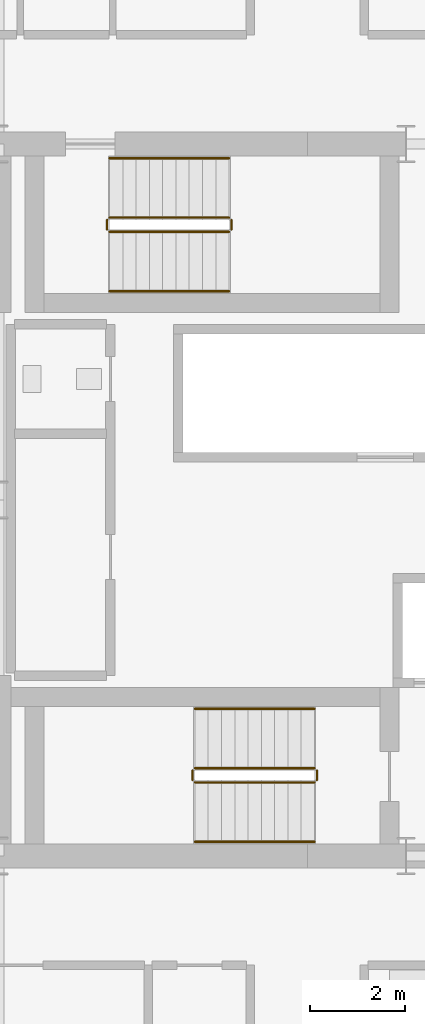
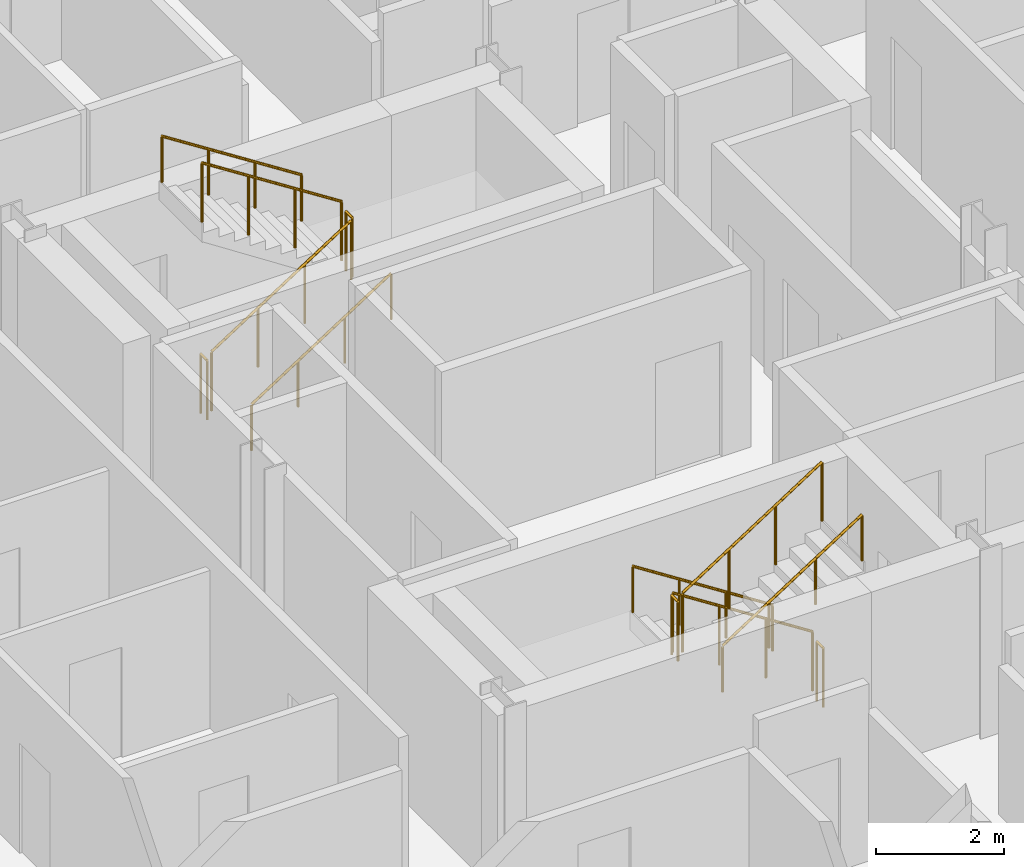
# One storey, part 23 of 24: 12 railings.
"""IFC4 building model written with IfcOpenShell, lengths in metres."""

from ifc_helpers import new_model, si_unit, direction, frame, origin, origin_2d, place, context, subcontext, project, spatial, circle, extrude, material, type_object, element, save


model = new_model("IFC4")

# Units and contexts
model_context = context("Model", 3, precision=1e-05, world=origin(), true_north=direction((0.0, 1.0)))
body_context = subcontext(model_context, "Body", "Model", "MODEL_VIEW")
ifc_project = project(units=[si_unit("LENGTHUNIT", "METRE"), si_unit("AREAUNIT", "SQUARE_METRE"), si_unit("VOLUMEUNIT", "CUBIC_METRE"), si_unit("PLANEANGLEUNIT", "RADIAN"), si_unit("MASSUNIT", "GRAM", prefix="KILO")], contexts=[model_context])

# Site, building, storey
site_placement = place(None, origin())
site = spatial("IfcSite", under=ifc_project, at=site_placement, CompositionType="ELEMENT")
building_placement = place(site_placement, origin())
building = spatial("IfcBuilding", under=site, at=building_placement, Name="Barlavira Tower and Art Museum", CompositionType="ELEMENT")
storey_placement = place(building_placement, frame((0.0, 0.0, 190.800048828125)))
storey = spatial("IfcBuildingStorey", under=building, at=storey_placement, Name="L49", CompositionType="ELEMENT", Elevation=190.800048828125)

# Railings
ifc_material = material(Name="Brushed stainless steel", Category="steel")
railing_type_1 = type_object("IfcRailingType", Name="Interior Void and Landing Guard Railing 1150", PredefinedType="GUARDRAIL", material=ifc_material)
railing_1_placement = place(storey_placement, frame((0.14990234375, -5.64990234375, 0.179931640625)))
element("IfcRailing", 1, at=railing_1_placement, inside=storey, type_object=railing_type_1, Name="L49 ST-T1 stair guard 1", PredefinedType="GUARDRAIL", context=body_context, shape_type="SweptSolid", body=[
    extrude(circle(Radius=0.02392578125, at=origin_2d()), frame((0.0, 0.0, 1.1259765625), z_axis=(-0.841162588446, 0.0, 0.540782303519), x_axis=(0.0, -1.0, 0.0)), (0.0, 0.0, 1.0), 2.995849609375),
    extrude(circle(Radius=0.02099609375, at=origin_2d()), origin(), (0.0, 0.0, 1.0), 1.101806640625),
    extrude(circle(Radius=0.02099609375, at=origin_2d()), frame((-0.840087890625, 0.0, 0.5400390625)), (0.0, 0.0, 1.0), 1.101806640625),
    extrude(circle(Radius=0.02099609375, at=origin_2d()), frame((-1.679931640625, 0.0, 1.080078125)), (0.0, 0.0, 1.0), 1.101806640625),
    extrude(circle(Radius=0.02099609375, at=origin_2d()), frame((-2.52001953125, 0.0, 1.6201171875)), (0.0, 0.0, 1.0), 1.101806640625),
])
railing_2_placement = place(storey_placement, frame((-2.419921875, -5.699951171875, 1.800048828125)))
element("IfcRailing", 2, at=railing_2_placement, inside=storey, type_object=railing_type_1, Name="L49 ST-T1 stair guard 2", PredefinedType="GUARDRAIL", context=body_context, shape_type="SweptSolid", body=[
    extrude(circle(Radius=0.02392578125, at=origin_2d()), frame((0.0, 0.0, 1.1259765625), z_axis=(0.0, -1.0, 0.0), x_axis=(1.0, 0.0, 0.0)), (0.0, 0.0, 1.0), 0.199951171875),
    extrude(circle(Radius=0.02099609375, at=origin_2d()), origin(), (0.0, 0.0, 1.0), 1.101806640625),
    extrude(circle(Radius=0.02099609375, at=origin_2d()), frame((0.0, -0.199951171875, 0.0)), (0.0, 0.0, 1.0), 1.101806640625),
])
railing_3_placement = place(storey_placement, frame((-2.3701171875, -5.949951171875, 1.97998046875)))
element("IfcRailing", 3, at=railing_3_placement, inside=storey, type_object=railing_type_1, Name="L49 ST-T1 stair guard 3", PredefinedType="GUARDRAIL", context=body_context, shape_type="SweptSolid", body=[
    extrude(circle(Radius=0.02392578125, at=origin_2d()), frame((0.0, 0.0, 1.1259765625), z_axis=(0.841199657755, 0.0, 0.540724639528), x_axis=(0.0, 1.0, 0.0)), (0.0, 0.0, 1.0), 2.995849609375),
    extrude(circle(Radius=0.02099609375, at=origin_2d()), origin(), (0.0, 0.0, 1.0), 1.101806640625),
    extrude(circle(Radius=0.02099609375, at=origin_2d()), frame((0.840087890625, 0.0, 0.5400390625)), (0.0, 0.0, 1.0), 1.101806640625),
    extrude(circle(Radius=0.02099609375, at=origin_2d()), frame((1.679931640625, 0.0, 1.079833984375)), (0.0, 0.0, 1.0), 1.101806640625),
    extrude(circle(Radius=0.02099609375, at=origin_2d()), frame((2.52001953125, 0.0, 1.619873046875)), (0.0, 0.0, 1.0), 1.101806640625),
])
railing_4_placement = place(storey_placement, frame((0.199951171875, -5.699951171875, 0.0)))
element("IfcRailing", 4, at=railing_4_placement, inside=storey, type_object=railing_type_1, Name="L49 ST-T1 stair guard 4", PredefinedType="GUARDRAIL", context=body_context, shape_type="SweptSolid", body=[
    extrude(circle(Radius=0.02392578125, at=origin_2d()), frame((0.0, 0.0, 1.1259765625), z_axis=(0.0, -1.0, 0.0), x_axis=(1.0, 0.0, 0.0)), (0.0, 0.0, 1.0), 0.199951171875),
    extrude(circle(Radius=0.02099609375, at=origin_2d()), origin(), (0.0, 0.0, 1.0), 1.101806640625),
    extrude(circle(Radius=0.02099609375, at=origin_2d()), frame((0.0, -0.199951171875, 0.0)), (0.0, 0.0, 1.0), 1.101806640625),
])
railing_5_placement = place(storey_placement, frame((-4.169921875, 5.64990234375, 0.179931640625)))
element("IfcRailing", 5, at=railing_5_placement, inside=storey, type_object=railing_type_1, Name="L49 ST-T2 stair guard 1", PredefinedType="GUARDRAIL", context=body_context, shape_type="SweptSolid", body=[
    extrude(circle(Radius=0.02392578125, at=origin_2d()), frame((0.0, 0.0, 1.1259765625), z_axis=(0.841162588446, 0.0, 0.540782303519), x_axis=(0.0, 1.0, 0.0)), (0.0, 0.0, 1.0), 2.995849609375),
    extrude(circle(Radius=0.02099609375, at=origin_2d()), origin(), (0.0, 0.0, 1.0), 1.101806640625),
    extrude(circle(Radius=0.02099609375, at=origin_2d()), frame((0.840087890625, 0.0, 0.5400390625)), (0.0, 0.0, 1.0), 1.101806640625),
    extrude(circle(Radius=0.02099609375, at=origin_2d()), frame((1.679931640625, 0.0, 1.080078125)), (0.0, 0.0, 1.0), 1.101806640625),
    extrude(circle(Radius=0.02099609375, at=origin_2d()), frame((2.52001953125, 0.0, 1.6201171875)), (0.0, 0.0, 1.0), 1.101806640625),
])
railing_6_placement = place(storey_placement, frame((-1.60009765625, 5.699951171875, 1.800048828125)))
element("IfcRailing", 6, at=railing_6_placement, inside=storey, type_object=railing_type_1, Name="L49 ST-T2 stair guard 2", PredefinedType="GUARDRAIL", context=body_context, shape_type="SweptSolid", body=[
    extrude(circle(Radius=0.02392578125, at=origin_2d()), frame((0.0, 0.0, 1.1259765625), z_axis=(0.0, 1.0, 0.0), x_axis=(-1.0, 0.0, 0.0)), (0.0, 0.0, 1.0), 0.199951171875),
    extrude(circle(Radius=0.02099609375, at=origin_2d()), origin(), (0.0, 0.0, 1.0), 1.101806640625),
    extrude(circle(Radius=0.02099609375, at=origin_2d()), frame((0.0, 0.199951171875, 0.0)), (0.0, 0.0, 1.0), 1.101806640625),
])
railing_7_placement = place(storey_placement, frame((-1.64990234375, 5.949951171875, 1.97998046875)))
element("IfcRailing", 7, at=railing_7_placement, inside=storey, type_object=railing_type_1, Name="L49 ST-T2 stair guard 3", PredefinedType="GUARDRAIL", context=body_context, shape_type="SweptSolid", body=[
    extrude(circle(Radius=0.02392578125, at=origin_2d()), frame((0.0, 0.0, 1.1259765625), z_axis=(-0.841199657755, 0.0, 0.540724639528), x_axis=(0.0, -1.0, 0.0)), (0.0, 0.0, 1.0), 2.995849609375),
    extrude(circle(Radius=0.02099609375, at=origin_2d()), origin(), (0.0, 0.0, 1.0), 1.101806640625),
    extrude(circle(Radius=0.02099609375, at=origin_2d()), frame((-0.840087890625, 0.0, 0.5400390625)), (0.0, 0.0, 1.0), 1.101806640625),
    extrude(circle(Radius=0.02099609375, at=origin_2d()), frame((-1.679931640625, 0.0, 1.079833984375)), (0.0, 0.0, 1.0), 1.101806640625),
    extrude(circle(Radius=0.02099609375, at=origin_2d()), frame((-2.52001953125, 0.0, 1.619873046875)), (0.0, 0.0, 1.0), 1.101806640625),
])
railing_8_placement = place(storey_placement, frame((-4.219970703125, 5.699951171875, 0.0)))
element("IfcRailing", 8, at=railing_8_placement, inside=storey, type_object=railing_type_1, Name="L49 ST-T2 stair guard 4", PredefinedType="GUARDRAIL", context=body_context, shape_type="SweptSolid", body=[
    extrude(circle(Radius=0.02392578125, at=origin_2d()), frame((0.0, 0.0, 1.1259765625), z_axis=(0.0, 1.0, 0.0), x_axis=(-1.0, 0.0, 0.0)), (0.0, 0.0, 1.0), 0.199951171875),
    extrude(circle(Radius=0.02099609375, at=origin_2d()), origin(), (0.0, 0.0, 1.0), 1.101806640625),
    extrude(circle(Radius=0.02099609375, at=origin_2d()), frame((0.0, 0.199951171875, 0.0)), (0.0, 0.0, 1.0), 1.101806640625),
])
railing_type_2 = type_object("IfcRailingType", Name="Stair Pitch Tubular Steel Handrail 920", PredefinedType="HANDRAIL", material=ifc_material)
railing_9_placement = place(storey_placement, frame((0.14990234375, -4.39990234375, 0.179931640625)))
element("IfcRailing", 9, at=railing_9_placement, inside=storey, type_object=railing_type_2, Name="L49 ST-T1 stair handrail 1", PredefinedType="HANDRAIL", context=body_context, shape_type="SweptSolid", body=[
    extrude(circle(Radius=0.02392578125, at=origin_2d()), frame((0.0, 0.0, 0.8759765625), z_axis=(-0.841162588446, 0.0, 0.540782303519), x_axis=(0.0, -1.0, 0.0)), (0.0, 0.0, 1.0), 2.995849609375),
    extrude(circle(Radius=0.02099609375, at=origin_2d()), origin(), (0.0, 0.0, 1.0), 0.851806640625),
    extrude(circle(Radius=0.02099609375, at=origin_2d()), frame((-0.840087890625, 0.0, 0.5400390625)), (0.0, 0.0, 1.0), 0.851806640625),
    extrude(circle(Radius=0.02099609375, at=origin_2d()), frame((-1.679931640625, 0.0, 1.080078125)), (0.0, 0.0, 1.0), 0.851806640625),
    extrude(circle(Radius=0.02099609375, at=origin_2d()), frame((-2.52001953125, 0.0, 1.6201171875)), (0.0, 0.0, 1.0), 0.851806640625),
])
railing_10_placement = place(storey_placement, frame((-2.3701171875, -7.199951171875, 1.97998046875)))
element("IfcRailing", 10, at=railing_10_placement, inside=storey, type_object=railing_type_2, Name="L49 ST-T1 stair handrail 2", PredefinedType="HANDRAIL", context=body_context, shape_type="SweptSolid", body=[
    extrude(circle(Radius=0.02392578125, at=origin_2d()), frame((0.0, 0.0, 0.8759765625), z_axis=(0.841199657755, 0.0, 0.540724639528), x_axis=(0.0, 1.0, 0.0)), (0.0, 0.0, 1.0), 2.995849609375),
    extrude(circle(Radius=0.02099609375, at=origin_2d()), origin(), (0.0, 0.0, 1.0), 0.851806640625),
    extrude(circle(Radius=0.02099609375, at=origin_2d()), frame((0.840087890625, 0.0, 0.5400390625)), (0.0, 0.0, 1.0), 0.851806640625),
    extrude(circle(Radius=0.02099609375, at=origin_2d()), frame((1.679931640625, 0.0, 1.079833984375)), (0.0, 0.0, 1.0), 0.851806640625),
    extrude(circle(Radius=0.02099609375, at=origin_2d()), frame((2.52001953125, 0.0, 1.619873046875)), (0.0, 0.0, 1.0), 0.851806640625),
])
railing_11_placement = place(storey_placement, frame((-4.169921875, 4.39990234375, 0.179931640625)))
element("IfcRailing", 11, at=railing_11_placement, inside=storey, type_object=railing_type_2, Name="L49 ST-T2 stair handrail 1", PredefinedType="HANDRAIL", context=body_context, shape_type="SweptSolid", body=[
    extrude(circle(Radius=0.02392578125, at=origin_2d()), frame((0.0, 0.0, 0.8759765625), z_axis=(0.841162588446, 0.0, 0.540782303519), x_axis=(0.0, 1.0, 0.0)), (0.0, 0.0, 1.0), 2.995849609375),
    extrude(circle(Radius=0.02099609375, at=origin_2d()), origin(), (0.0, 0.0, 1.0), 0.851806640625),
    extrude(circle(Radius=0.02099609375, at=origin_2d()), frame((0.840087890625, 0.0, 0.5400390625)), (0.0, 0.0, 1.0), 0.851806640625),
    extrude(circle(Radius=0.02099609375, at=origin_2d()), frame((1.679931640625, 0.0, 1.080078125)), (0.0, 0.0, 1.0), 0.851806640625),
    extrude(circle(Radius=0.02099609375, at=origin_2d()), frame((2.52001953125, 0.0, 1.6201171875)), (0.0, 0.0, 1.0), 0.851806640625),
])
railing_12_placement = place(storey_placement, frame((-1.64990234375, 7.199951171875, 1.97998046875)))
element("IfcRailing", 12, at=railing_12_placement, inside=storey, type_object=railing_type_2, Name="L49 ST-T2 stair handrail 2", PredefinedType="HANDRAIL", context=body_context, shape_type="SweptSolid", body=[
    extrude(circle(Radius=0.02392578125, at=origin_2d()), frame((0.0, 0.0, 0.8759765625), z_axis=(-0.841199657755, 0.0, 0.540724639528), x_axis=(0.0, -1.0, 0.0)), (0.0, 0.0, 1.0), 2.995849609375),
    extrude(circle(Radius=0.02099609375, at=origin_2d()), origin(), (0.0, 0.0, 1.0), 0.851806640625),
    extrude(circle(Radius=0.02099609375, at=origin_2d()), frame((-0.840087890625, 0.0, 0.5400390625)), (0.0, 0.0, 1.0), 0.851806640625),
    extrude(circle(Radius=0.02099609375, at=origin_2d()), frame((-1.679931640625, 0.0, 1.079833984375)), (0.0, 0.0, 1.0), 0.851806640625),
    extrude(circle(Radius=0.02099609375, at=origin_2d()), frame((-2.52001953125, 0.0, 1.619873046875)), (0.0, 0.0, 1.0), 0.851806640625),
])

save(model, "model.ifc")
